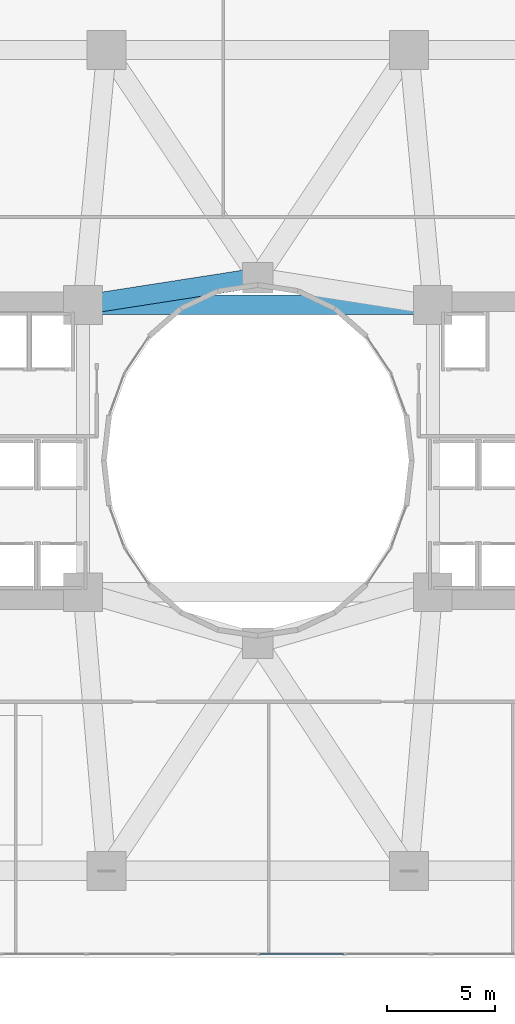
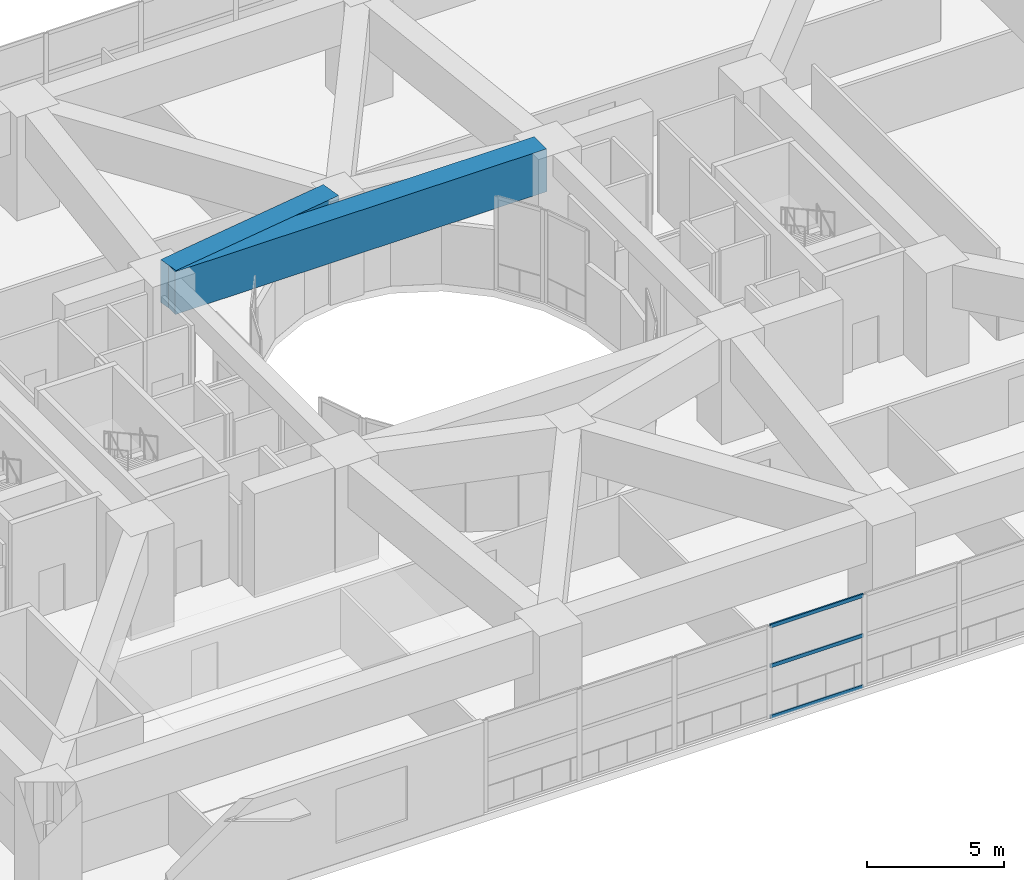
# One storey, part 7 of 27: 3 members, 2 beams, 1 element without a shape of its own.
"""IFC4 building model written with IfcOpenShell, lengths in metres."""

from ifc_helpers import new_model, si_unit, direction, frame, origin, origin_2d, place, context, subcontext, project, spatial, rectangle, hollow_rectangle, extrude, material, layer, layer_set, material_profile, profile_set, type_object, element, aggregate, save


model = new_model("IFC4")

# Units and contexts
model_context = context("Model", 3, precision=1e-05, world=origin(), true_north=direction((0.0, 1.0)))
body_context = subcontext(model_context, "Body", "Model", "MODEL_VIEW")
ifc_project = project(units=[si_unit("LENGTHUNIT", "METRE"), si_unit("AREAUNIT", "SQUARE_METRE"), si_unit("VOLUMEUNIT", "CUBIC_METRE"), si_unit("PLANEANGLEUNIT", "RADIAN"), si_unit("MASSUNIT", "GRAM", prefix="KILO")], contexts=[model_context])

# Site, building, storey
site_placement = place(None, origin())
site = spatial("IfcSite", under=ifc_project, at=site_placement, CompositionType="ELEMENT")
building_placement = place(site_placement, origin())
building = spatial("IfcBuilding", under=site, at=building_placement, Name="Solvane Sanctuary Tower", CompositionType="ELEMENT")
storey_placement = place(building_placement, frame((0.0, 0.0, 23.0)))
storey = spatial("IfcBuildingStorey", under=building, at=storey_placement, Name="L06", CompositionType="ELEMENT", Elevation=23.0)

# Beams
ifc_material_1 = material(Name="Concrete C60/75", Category="concrete")
ifc_material_profile_1 = material_profile(ifc_material_1, rectangle(XDim=0.89990234375, YDim=1.89990234375, at=origin_2d()), Name="RC900X1900")
ifc_profile_set_1 = profile_set([ifc_material_profile_1], Name="Concrete C60/75")
beam_type = type_object("IfcBeamType", Name="Beam B-XFER-POD RC900X1900", PredefinedType="BEAM", material=ifc_profile_set_1)
beam_1_placement = place(storey_placement, frame((24.1962890625, 30.24609375, 3.64990234375), z_axis=(0.988118095737, 0.15369654803, 0.0), x_axis=(-0.15369654803, 0.988118095737, 0.0)))
element("IfcBeam", 1, at=beam_1_placement, inside=storey, type_object=beam_type, Name="L06 Podium Transfer Girder XP23", PredefinedType="BEAM", context=body_context, shape_type="SweptSolid", body=[
    extrude(rectangle(XDim=0.89990234375, YDim=1.89990234375, at=origin_2d()), origin(), (0.0, 0.0, 1.0), 7.59765625),
])
beam_2_placement = place(storey_placement, frame((24.199951171875, 30.199951171875, 3.64990234375), z_axis=(1.0, 0.0, 0.0), x_axis=(0.0, 1.0, 0.0)))
element("IfcBeam", 2, at=beam_2_placement, inside=storey, type_object=beam_type, Name="L06 Podium Transfer Girder XP26", PredefinedType="BEAM", context=body_context, shape_type="SweptSolid", body=[
    extrude(rectangle(XDim=0.89990234375, YDim=1.89990234375, at=origin_2d()), origin(), (0.0, 0.0, 1.0), 15.60009765625),
])

# Curtain wall, members
ifc_material_2 = material(Name="Anodised Aluminium 6063-T6", Category="aluminium")
ifc_layer = layer(ifc_material_2, 0.159912109375, Name="Anodised Aluminium 6063-T6")
ifc_layer_set = layer_set([ifc_layer], Name="Anodised Aluminium 6063-T6")
curtain_wall_type = type_object("IfcCurtainWallType", Name="Curtain Wall CW-POD", PredefinedType="NOTDEFINED", material=ifc_layer_set)
curtain_wall_placement = place(storey_placement, origin())
curtain_wall = element("IfcCurtainWall", 3, at=curtain_wall_placement, inside=storey, type_object=curtain_wall_type, Name="L06 Sanctuary Curtain Wall S2", PredefinedType="NOTDEFINED")
ifc_material_profile_2 = material_profile(ifc_material_2, hollow_rectangle(XDim=0.06494140625, YDim=0.159912109375, WallThickness=0.00341796875, at=origin_2d()), Name="ALU160X65X3.5")
ifc_profile_set_2 = profile_set([ifc_material_profile_2], Name="Anodised Aluminium 6063-T6")
member_type = type_object("IfcMemberType", Name="Member M-CW-TRN-1 ALU160X65X3.5", PredefinedType="USERDEFINED", material=ifc_profile_set_2)
member_1_placement = place(storey_placement, frame((32.077392578125, 0.14990234375, 0.032470703125), z_axis=(1.0, 0.0, 0.0), x_axis=(0.0, 1.0, 0.0)))
member_1 = element("IfcMember", 4, at=member_1_placement, type_object=member_type, Name="CW-POD transom 4.1", ObjectType="TRANSOM", PredefinedType="USERDEFINED", context=body_context, shape_type="SweptSolid", body=[
    extrude(hollow_rectangle(XDim=0.06494140625, YDim=0.159912109375, WallThickness=0.00341796875, at=origin_2d()), origin(), (0.0, 0.0, 1.0), 3.911865234375),
])
member_2_placement = place(storey_placement, frame((32.077392578125, 0.14990234375, 2.300048828125), z_axis=(1.0, 0.0, 0.0), x_axis=(0.0, 1.0, 0.0)))
member_2 = element("IfcMember", 5, at=member_2_placement, type_object=member_type, Name="CW-POD transom 4.2", ObjectType="TRANSOM", PredefinedType="USERDEFINED", context=body_context, shape_type="SweptSolid", body=[
    extrude(hollow_rectangle(XDim=0.06494140625, YDim=0.159912109375, WallThickness=0.00341796875, at=origin_2d()), origin(), (0.0, 0.0, 1.0), 3.911865234375),
])
member_3_placement = place(storey_placement, frame((32.077392578125, 0.14990234375, 4.0673828125), z_axis=(1.0, 0.0, 0.0), x_axis=(0.0, 1.0, 0.0)))
member_3 = element("IfcMember", 6, at=member_3_placement, type_object=member_type, Name="CW-POD transom 4.3", ObjectType="TRANSOM", PredefinedType="USERDEFINED", context=body_context, shape_type="SweptSolid", body=[
    extrude(hollow_rectangle(XDim=0.06494140625, YDim=0.159912109375, WallThickness=0.00341796875, at=origin_2d()), origin(), (0.0, 0.0, 1.0), 3.911865234375),
])
aggregate(curtain_wall, [member_1, member_2, member_3])

save(model, "model.ifc")
